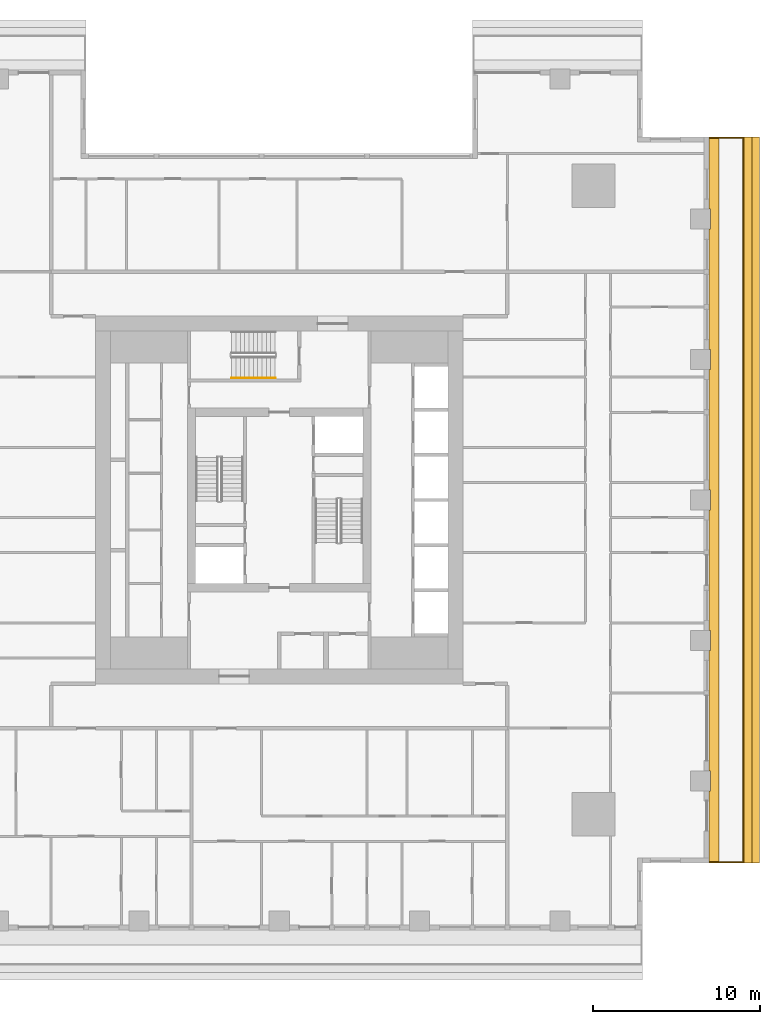
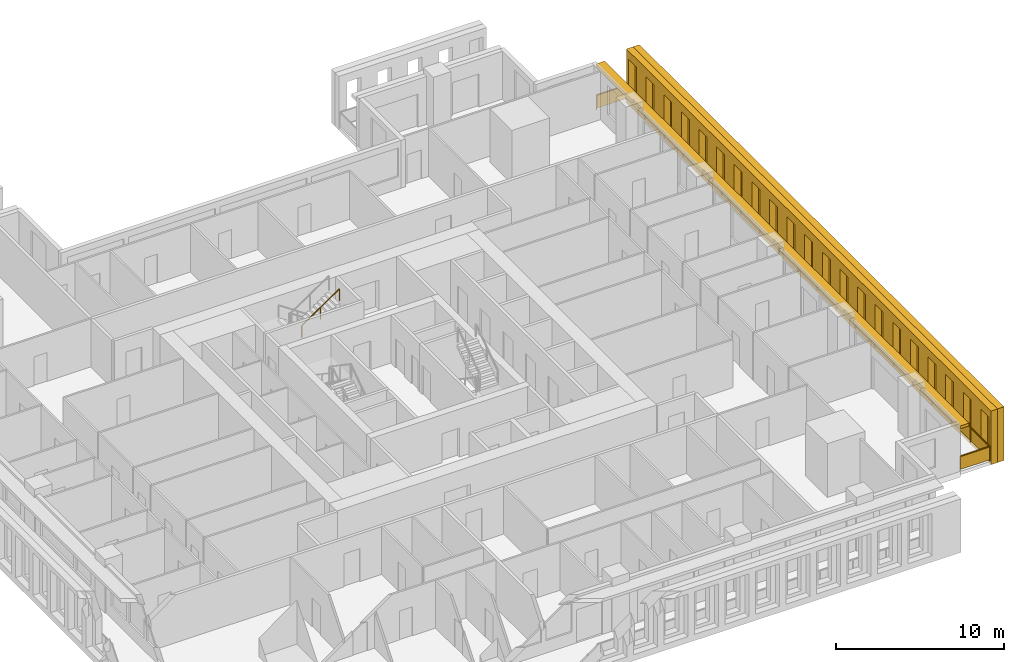
# One storey, part 14 of 16: 3 shading devices, 2 railings.
"""IFC4 building model written with IfcOpenShell, lengths in metres."""

from ifc_helpers import new_model, si_unit, direction, frame, origin, origin_2d, place, context, subcontext, project, spatial, polyline, rectangle, outline, extrude, material, layer, layer_set, type_object, element, save


model = new_model("IFC4")

# Units and contexts
model_context = context("Model", 3, precision=1e-05, world=origin(), true_north=direction((0.0, 1.0)))
body_context = subcontext(model_context, "Body", "Model", "MODEL_VIEW")
ifc_project = project(units=[si_unit("LENGTHUNIT", "METRE"), si_unit("AREAUNIT", "SQUARE_METRE"), si_unit("VOLUMEUNIT", "CUBIC_METRE"), si_unit("PLANEANGLEUNIT", "RADIAN"), si_unit("MASSUNIT", "GRAM", prefix="KILO")], contexts=[model_context])

# Site, building, storey
site_placement = place(None, origin())
site = spatial("IfcSite", under=ifc_project, at=site_placement, CompositionType="ELEMENT")
building_placement = place(site_placement, origin())
building = spatial("IfcBuilding", under=site, at=building_placement, Name="Khepri Terraces", CompositionType="ELEMENT")
storey_placement = place(building_placement, frame((0.0, 0.0, 168.89990234375)))
storey = spatial("IfcBuildingStorey", under=building, at=storey_placement, Name="L40", CompositionType="ELEMENT", Elevation=168.89990234375)

# Railings
ifc_material_1 = material(Name="Stainless steel grade 316", Category="steel")
railing_type_1 = type_object("IfcRailingType", Name="GRD-BAL-1100", PredefinedType="GUARDRAIL", material=ifc_material_1)
railing_1_placement = place(storey_placement, frame((25.719970703125, -21.669921875, 0.0)))
element("IfcRailing", 1, at=railing_1_placement, inside=storey, type_object=railing_type_1, Name="Balcony guard L40 E", PredefinedType="GUARDRAIL", context=body_context, shape_type="SweptSolid", body=[
    extrude(rectangle(XDim=0.050048828125, YDim=0.06005859375, at=origin_2d()), frame((0.0, 0.0, 1.070068359375), z_axis=(1.0, 0.0, 0.0), x_axis=(0.0, 1.0, 0.0)), (0.0, 0.0, 1.0), 2.050048828125),
    extrude(rectangle(XDim=2.0, YDim=0.011962890625, at=origin_2d()), frame((1.02490234375, 0.0, 0.10009765625), z_axis=(0.0, 0.0, 1.0), x_axis=(1.0, 0.0, 0.0)), (0.0, 0.0, 1.0), 0.93994140625),
    extrude(rectangle(XDim=0.050048828125, YDim=0.06005859375, at=origin_2d()), frame((2.050048828125, 0.0, 1.070068359375), z_axis=(0.0, 1.0, 0.0), x_axis=(-1.0, 0.0, 0.0)), (0.0, 0.0, 1.0), 43.33984375),
    extrude(rectangle(XDim=2.23095703125, YDim=0.011962890625, at=origin_2d()), frame((2.050048828125, 1.140625, 0.10009765625), z_axis=(0.0, 0.0, 1.0), x_axis=(0.0, 1.0, 0.0)), (0.0, 0.0, 1.0), 0.93994140625),
    extrude(rectangle(XDim=2.23095703125, YDim=0.011962890625, at=origin_2d()), frame((2.050048828125, 3.421630859375, 0.10009765625), z_axis=(0.0, 0.0, 1.0), x_axis=(0.0, 1.0, 0.0)), (0.0, 0.0, 1.0), 0.93994140625),
    extrude(rectangle(XDim=2.23095703125, YDim=0.011962890625, at=origin_2d()), frame((2.050048828125, 5.70263671875, 0.10009765625), z_axis=(0.0, 0.0, 1.0), x_axis=(0.0, 1.0, 0.0)), (0.0, 0.0, 1.0), 0.93994140625),
    extrude(rectangle(XDim=2.23095703125, YDim=0.011962890625, at=origin_2d()), frame((2.050048828125, 7.983642578125, 0.10009765625), z_axis=(0.0, 0.0, 1.0), x_axis=(0.0, 1.0, 0.0)), (0.0, 0.0, 1.0), 0.93994140625),
    extrude(rectangle(XDim=2.23095703125, YDim=0.011962890625, at=origin_2d()), frame((2.050048828125, 10.2646484375, 0.10009765625), z_axis=(0.0, 0.0, 1.0), x_axis=(0.0, 1.0, 0.0)), (0.0, 0.0, 1.0), 0.93994140625),
    extrude(rectangle(XDim=2.23095703125, YDim=0.011962890625, at=origin_2d()), frame((2.050048828125, 12.545654296875, 0.10009765625), z_axis=(0.0, 0.0, 1.0), x_axis=(0.0, 1.0, 0.0)), (0.0, 0.0, 1.0), 0.93994140625),
    extrude(rectangle(XDim=2.23095703125, YDim=0.011962890625, at=origin_2d()), frame((2.050048828125, 14.826904296875, 0.10009765625), z_axis=(0.0, 0.0, 1.0), x_axis=(0.0, 1.0, 0.0)), (0.0, 0.0, 1.0), 0.93994140625),
    extrude(rectangle(XDim=2.23095703125, YDim=0.011962890625, at=origin_2d()), frame((2.050048828125, 17.10791015625, 0.10009765625), z_axis=(0.0, 0.0, 1.0), x_axis=(0.0, 1.0, 0.0)), (0.0, 0.0, 1.0), 0.93994140625),
    extrude(rectangle(XDim=2.23095703125, YDim=0.011962890625, at=origin_2d()), frame((2.050048828125, 19.388916015625, 0.10009765625), z_axis=(0.0, 0.0, 1.0), x_axis=(0.0, 1.0, 0.0)), (0.0, 0.0, 1.0), 0.93994140625),
    extrude(rectangle(XDim=2.23095703125, YDim=0.011962890625, at=origin_2d()), frame((2.050048828125, 21.669921875, 0.10009765625), z_axis=(0.0, 0.0, 1.0), x_axis=(0.0, 1.0, 0.0)), (0.0, 0.0, 1.0), 0.93994140625),
    extrude(rectangle(XDim=2.23095703125, YDim=0.011962890625, at=origin_2d()), frame((2.050048828125, 23.950927734375, 0.10009765625), z_axis=(0.0, 0.0, 1.0), x_axis=(0.0, 1.0, 0.0)), (0.0, 0.0, 1.0), 0.93994140625),
    extrude(rectangle(XDim=2.23095703125, YDim=0.011962890625, at=origin_2d()), frame((2.050048828125, 26.23193359375, 0.10009765625), z_axis=(0.0, 0.0, 1.0), x_axis=(0.0, 1.0, 0.0)), (0.0, 0.0, 1.0), 0.93994140625),
    extrude(rectangle(XDim=2.23095703125, YDim=0.011962890625, at=origin_2d()), frame((2.050048828125, 28.512939453125, 0.10009765625), z_axis=(0.0, 0.0, 1.0), x_axis=(0.0, 1.0, 0.0)), (0.0, 0.0, 1.0), 0.93994140625),
    extrude(rectangle(XDim=2.23095703125, YDim=0.011962890625, at=origin_2d()), frame((2.050048828125, 30.794189453125, 0.10009765625), z_axis=(0.0, 0.0, 1.0), x_axis=(0.0, 1.0, 0.0)), (0.0, 0.0, 1.0), 0.93994140625),
    extrude(rectangle(XDim=2.23095703125, YDim=0.011962890625, at=origin_2d()), frame((2.050048828125, 33.0751953125, 0.10009765625), z_axis=(0.0, 0.0, 1.0), x_axis=(0.0, 1.0, 0.0)), (0.0, 0.0, 1.0), 0.93994140625),
    extrude(rectangle(XDim=2.23095703125, YDim=0.011962890625, at=origin_2d()), frame((2.050048828125, 35.356201171875, 0.10009765625), z_axis=(0.0, 0.0, 1.0), x_axis=(0.0, 1.0, 0.0)), (0.0, 0.0, 1.0), 0.93994140625),
    extrude(rectangle(XDim=2.23095703125, YDim=0.011962890625, at=origin_2d()), frame((2.050048828125, 37.63720703125, 0.10009765625), z_axis=(0.0, 0.0, 1.0), x_axis=(0.0, 1.0, 0.0)), (0.0, 0.0, 1.0), 0.93994140625),
    extrude(rectangle(XDim=2.23095703125, YDim=0.011962890625, at=origin_2d()), frame((2.050048828125, 39.918212890625, 0.10009765625), z_axis=(0.0, 0.0, 1.0), x_axis=(0.0, 1.0, 0.0)), (0.0, 0.0, 1.0), 0.93994140625),
    extrude(rectangle(XDim=2.23095703125, YDim=0.011962890625, at=origin_2d()), frame((2.050048828125, 42.19921875, 0.10009765625), z_axis=(0.0, 0.0, 1.0), x_axis=(0.0, 1.0, 0.0)), (0.0, 0.0, 1.0), 0.93994140625),
    extrude(rectangle(XDim=0.050048828125, YDim=0.06005859375, at=origin_2d()), frame((2.050048828125, 43.33984375, 1.070068359375), z_axis=(-1.0, 0.0, 0.0), x_axis=(0.0, -1.0, 0.0)), (0.0, 0.0, 1.0), 2.050048828125),
    extrude(rectangle(XDim=2.0, YDim=0.011962890625, at=origin_2d()), frame((1.02490234375, 43.33984375, 0.10009765625), z_axis=(0.0, 0.0, 1.0), x_axis=(-1.0, 0.0, 0.0)), (0.0, 0.0, 1.0), 0.93994140625),
    extrude(rectangle(XDim=0.050048828125, YDim=0.050048828125, at=origin_2d()), origin(), (0.0, 0.0, 1.0), 1.0400390625),
    extrude(rectangle(XDim=0.050048828125, YDim=0.050048828125, at=origin_2d()), frame((2.050048828125, 0.0, 0.0)), (0.0, 0.0, 1.0), 1.0400390625),
    extrude(rectangle(XDim=0.050048828125, YDim=0.050048828125, at=origin_2d()), frame((2.050048828125, 2.281005859375, 0.0)), (0.0, 0.0, 1.0), 1.0400390625),
    extrude(rectangle(XDim=0.050048828125, YDim=0.050048828125, at=origin_2d()), frame((2.050048828125, 4.56201171875, 0.0)), (0.0, 0.0, 1.0), 1.0400390625),
    extrude(rectangle(XDim=0.050048828125, YDim=0.050048828125, at=origin_2d()), frame((2.050048828125, 6.843017578125, 0.0)), (0.0, 0.0, 1.0), 1.0400390625),
    extrude(rectangle(XDim=0.050048828125, YDim=0.050048828125, at=origin_2d()), frame((2.050048828125, 9.124267578125, 0.0)), (0.0, 0.0, 1.0), 1.0400390625),
    extrude(rectangle(XDim=0.050048828125, YDim=0.050048828125, at=origin_2d()), frame((2.050048828125, 11.4052734375, 0.0)), (0.0, 0.0, 1.0), 1.0400390625),
    extrude(rectangle(XDim=0.050048828125, YDim=0.050048828125, at=origin_2d()), frame((2.050048828125, 13.686279296875, 0.0)), (0.0, 0.0, 1.0), 1.0400390625),
    extrude(rectangle(XDim=0.050048828125, YDim=0.050048828125, at=origin_2d()), frame((2.050048828125, 15.96728515625, 0.0)), (0.0, 0.0, 1.0), 1.0400390625),
    extrude(rectangle(XDim=0.050048828125, YDim=0.050048828125, at=origin_2d()), frame((2.050048828125, 18.248291015625, 0.0)), (0.0, 0.0, 1.0), 1.0400390625),
    extrude(rectangle(XDim=0.050048828125, YDim=0.050048828125, at=origin_2d()), frame((2.050048828125, 20.529296875, 0.0)), (0.0, 0.0, 1.0), 1.0400390625),
    extrude(rectangle(XDim=0.050048828125, YDim=0.050048828125, at=origin_2d()), frame((2.050048828125, 22.810546875, 0.0)), (0.0, 0.0, 1.0), 1.0400390625),
    extrude(rectangle(XDim=0.050048828125, YDim=0.050048828125, at=origin_2d()), frame((2.050048828125, 25.091552734375, 0.0)), (0.0, 0.0, 1.0), 1.0400390625),
    extrude(rectangle(XDim=0.050048828125, YDim=0.050048828125, at=origin_2d()), frame((2.050048828125, 27.37255859375, 0.0)), (0.0, 0.0, 1.0), 1.0400390625),
    extrude(rectangle(XDim=0.050048828125, YDim=0.050048828125, at=origin_2d()), frame((2.050048828125, 29.653564453125, 0.0)), (0.0, 0.0, 1.0), 1.0400390625),
    extrude(rectangle(XDim=0.050048828125, YDim=0.050048828125, at=origin_2d()), frame((2.050048828125, 31.9345703125, 0.0)), (0.0, 0.0, 1.0), 1.0400390625),
    extrude(rectangle(XDim=0.050048828125, YDim=0.050048828125, at=origin_2d()), frame((2.050048828125, 34.215576171875, 0.0)), (0.0, 0.0, 1.0), 1.0400390625),
    extrude(rectangle(XDim=0.050048828125, YDim=0.050048828125, at=origin_2d()), frame((2.050048828125, 36.496826171875, 0.0)), (0.0, 0.0, 1.0), 1.0400390625),
    extrude(rectangle(XDim=0.050048828125, YDim=0.050048828125, at=origin_2d()), frame((2.050048828125, 38.77783203125, 0.0)), (0.0, 0.0, 1.0), 1.0400390625),
    extrude(rectangle(XDim=0.050048828125, YDim=0.050048828125, at=origin_2d()), frame((2.050048828125, 41.058837890625, 0.0)), (0.0, 0.0, 1.0), 1.0400390625),
    extrude(rectangle(XDim=0.050048828125, YDim=0.050048828125, at=origin_2d()), frame((2.050048828125, 43.33984375, 0.0)), (0.0, 0.0, 1.0), 1.0400390625),
    extrude(rectangle(XDim=0.050048828125, YDim=0.050048828125, at=origin_2d()), frame((0.0, 43.33984375, 0.0)), (0.0, 0.0, 1.0), 1.0400390625),
])
ifc_material_2 = material(Name="Stainless steel 316", Category="steel")
railing_type_2 = type_object("IfcRailingType", Name="RL-CORE-HANDRAIL", PredefinedType="HANDRAIL", material=ifc_material_2)
railing_2_placement = place(storey_placement, frame((-2.85009765625, 7.300048828125, 2.12744140625)))
element("IfcRailing", 2, at=railing_2_placement, inside=storey, type_object=railing_type_2, Name="L40 ST-3 stair handrail 2", PredefinedType="HANDRAIL", context=body_context, shape_type="SweptSolid", body=[
    extrude(rectangle(XDim=0.050048828125, YDim=0.050048828125, at=origin_2d()), frame((0.0, 0.0, 0.875), z_axis=(0.826240473404, 0.0, 0.563317565952), x_axis=(0.0, 1.0, 0.0)), (0.0, 0.0, 1.0), 3.14697265625),
    extrude(rectangle(XDim=0.050048828125, YDim=0.050048828125, at=origin_2d()), origin(), (0.0, 0.0, 1.0), 0.849853515625),
    extrude(rectangle(XDim=0.050048828125, YDim=0.050048828125, at=origin_2d()), frame((1.300048828125, 0.0, 0.88623046875)), (0.0, 0.0, 1.0), 0.849853515625),
    extrude(rectangle(XDim=0.050048828125, YDim=0.050048828125, at=origin_2d()), frame((2.60009765625, 0.0, 1.772705078125)), (0.0, 0.0, 1.0), 0.849853515625),
])

# Shading devices
ifc_material_3 = material(Name="Precast concrete C50/60 warm stone", Category="masonry")
shading_device_type_1 = type_object("IfcShadingDeviceType", Name="SCR-CELL-INNER-450", PredefinedType="USERDEFINED", material=ifc_material_3)
shading_device_1_placement = place(storey_placement, frame((27.820068359375, -21.719970703125, -0.25), z_axis=(1.0, 0.0, 0.0), x_axis=(0.0, 1.0, 0.0)))
element("IfcShadingDevice", 3, at=shading_device_1_placement, inside=storey, type_object=shading_device_type_1, Name="Cell screen L40 E in", ObjectType="SCREEN", PredefinedType="USERDEFINED", context=body_context, shape_type="SweptSolid", body=[
    extrude(outline(polyline([(0.0, 0.0), (43.43994140625, 0.0), (43.43994140625, 3.89990234375), (0.0, 3.89990234375), (0.0, 0.0)]), holes=[polyline([(0.24755859375, 0.699951171875), (1.1923828125, 0.699951171875), (1.1923828125, 3.300048828125), (0.24755859375, 3.300048828125), (0.24755859375, 0.699951171875)]), polyline([(2.347412109375, 0.699951171875), (3.29248046875, 0.699951171875), (3.29248046875, 3.300048828125), (2.347412109375, 3.300048828125), (2.347412109375, 0.699951171875)]), polyline([(4.447509765625, 0.699951171875), (5.392578125, 0.699951171875), (5.392578125, 3.300048828125), (4.447509765625, 3.300048828125), (4.447509765625, 0.699951171875)]), polyline([(6.547607421875, 0.699951171875), (7.492431640625, 0.699951171875), (7.492431640625, 3.300048828125), (6.547607421875, 3.300048828125), (6.547607421875, 0.699951171875)]), polyline([(8.6474609375, 0.699951171875), (9.592529296875, 0.699951171875), (9.592529296875, 3.300048828125), (8.6474609375, 3.300048828125), (8.6474609375, 0.699951171875)]), polyline([(10.74755859375, 0.699951171875), (11.6923828125, 0.699951171875), (11.6923828125, 3.300048828125), (10.74755859375, 3.300048828125), (10.74755859375, 0.699951171875)]), polyline([(12.847412109375, 0.699951171875), (13.79248046875, 0.699951171875), (13.79248046875, 3.300048828125), (12.847412109375, 3.300048828125), (12.847412109375, 0.699951171875)]), polyline([(14.947509765625, 0.699951171875), (15.892578125, 0.699951171875), (15.892578125, 3.300048828125), (14.947509765625, 3.300048828125), (14.947509765625, 0.699951171875)]), polyline([(17.047607421875, 0.699951171875), (17.992431640625, 0.699951171875), (17.992431640625, 3.300048828125), (17.047607421875, 3.300048828125), (17.047607421875, 0.699951171875)]), polyline([(19.1474609375, 0.699951171875), (20.092529296875, 0.699951171875), (20.092529296875, 3.300048828125), (19.1474609375, 3.300048828125), (19.1474609375, 0.699951171875)]), polyline([(21.24755859375, 0.699951171875), (22.1923828125, 0.699951171875), (22.1923828125, 3.300048828125), (21.24755859375, 3.300048828125), (21.24755859375, 0.699951171875)]), polyline([(23.347412109375, 0.699951171875), (24.29248046875, 0.699951171875), (24.29248046875, 3.300048828125), (23.347412109375, 3.300048828125), (23.347412109375, 0.699951171875)]), polyline([(25.447509765625, 0.699951171875), (26.392578125, 0.699951171875), (26.392578125, 3.300048828125), (25.447509765625, 3.300048828125), (25.447509765625, 0.699951171875)]), polyline([(27.547607421875, 0.699951171875), (28.492431640625, 0.699951171875), (28.492431640625, 3.300048828125), (27.547607421875, 3.300048828125), (27.547607421875, 0.699951171875)]), polyline([(29.6474609375, 0.699951171875), (30.592529296875, 0.699951171875), (30.592529296875, 3.300048828125), (29.6474609375, 3.300048828125), (29.6474609375, 0.699951171875)]), polyline([(31.74755859375, 0.699951171875), (32.6923828125, 0.699951171875), (32.6923828125, 3.300048828125), (31.74755859375, 3.300048828125), (31.74755859375, 0.699951171875)]), polyline([(33.847412109375, 0.699951171875), (34.79248046875, 0.699951171875), (34.79248046875, 3.300048828125), (33.847412109375, 3.300048828125), (33.847412109375, 0.699951171875)]), polyline([(35.947509765625, 0.699951171875), (36.892578125, 0.699951171875), (36.892578125, 3.300048828125), (35.947509765625, 3.300048828125), (35.947509765625, 0.699951171875)]), polyline([(38.047607421875, 0.699951171875), (38.992431640625, 0.699951171875), (38.992431640625, 3.300048828125), (38.047607421875, 3.300048828125), (38.047607421875, 0.699951171875)]), polyline([(40.1474609375, 0.699951171875), (41.092529296875, 0.699951171875), (41.092529296875, 3.300048828125), (40.1474609375, 3.300048828125), (40.1474609375, 0.699951171875)]), polyline([(42.24755859375, 0.699951171875), (43.1923828125, 0.699951171875), (43.1923828125, 3.300048828125), (42.24755859375, 3.300048828125), (42.24755859375, 0.699951171875)])]), origin(), (0.0, 0.0, 1.0), 0.449951171875),
])
shading_device_type_2 = type_object("IfcShadingDeviceType", Name="SCR-CELL-OUTER-450", PredefinedType="USERDEFINED", material=ifc_material_3)
shading_device_2_placement = place(storey_placement, frame((28.27001953125, -21.719970703125, -0.25), z_axis=(1.0, 0.0, 0.0), x_axis=(0.0, 1.0, 0.0)))
element("IfcShadingDevice", 4, at=shading_device_2_placement, inside=storey, type_object=shading_device_type_2, Name="Cell screen L40 E out", ObjectType="SCREEN", PredefinedType="USERDEFINED", context=body_context, shape_type="SweptSolid", body=[
    extrude(outline(polyline([(0.0, 0.0), (43.43994140625, 0.0), (43.43994140625, 3.89990234375), (0.0, 3.89990234375), (0.0, 0.0)]), holes=[polyline([(1.99755859375, 0.449951171875), (3.642578125, 0.449951171875), (3.642578125, 3.550048828125), (1.99755859375, 3.550048828125), (1.99755859375, 0.449951171875)]), polyline([(4.097412109375, 0.449951171875), (5.742431640625, 0.449951171875), (5.742431640625, 3.550048828125), (4.097412109375, 3.550048828125), (4.097412109375, 0.449951171875)]), polyline([(6.197509765625, 0.449951171875), (7.842529296875, 0.449951171875), (7.842529296875, 3.550048828125), (6.197509765625, 3.550048828125), (6.197509765625, 0.449951171875)]), polyline([(8.297607421875, 0.449951171875), (9.9423828125, 0.449951171875), (9.9423828125, 3.550048828125), (8.297607421875, 3.550048828125), (8.297607421875, 0.449951171875)]), polyline([(10.3974609375, 0.449951171875), (12.04248046875, 0.449951171875), (12.04248046875, 3.550048828125), (10.3974609375, 3.550048828125), (10.3974609375, 0.449951171875)]), polyline([(12.49755859375, 0.449951171875), (14.142578125, 0.449951171875), (14.142578125, 3.550048828125), (12.49755859375, 3.550048828125), (12.49755859375, 0.449951171875)]), polyline([(14.597412109375, 0.449951171875), (16.242431640625, 0.449951171875), (16.242431640625, 3.550048828125), (14.597412109375, 3.550048828125), (14.597412109375, 0.449951171875)]), polyline([(16.697509765625, 0.449951171875), (18.342529296875, 0.449951171875), (18.342529296875, 3.550048828125), (16.697509765625, 3.550048828125), (16.697509765625, 0.449951171875)]), polyline([(18.797607421875, 0.449951171875), (20.4423828125, 0.449951171875), (20.4423828125, 3.550048828125), (18.797607421875, 3.550048828125), (18.797607421875, 0.449951171875)]), polyline([(20.8974609375, 0.449951171875), (22.54248046875, 0.449951171875), (22.54248046875, 3.550048828125), (20.8974609375, 3.550048828125), (20.8974609375, 0.449951171875)]), polyline([(22.99755859375, 0.449951171875), (24.642578125, 0.449951171875), (24.642578125, 3.550048828125), (22.99755859375, 3.550048828125), (22.99755859375, 0.449951171875)]), polyline([(25.097412109375, 0.449951171875), (26.742431640625, 0.449951171875), (26.742431640625, 3.550048828125), (25.097412109375, 3.550048828125), (25.097412109375, 0.449951171875)]), polyline([(27.197509765625, 0.449951171875), (28.842529296875, 0.449951171875), (28.842529296875, 3.550048828125), (27.197509765625, 3.550048828125), (27.197509765625, 0.449951171875)]), polyline([(29.297607421875, 0.449951171875), (30.9423828125, 0.449951171875), (30.9423828125, 3.550048828125), (29.297607421875, 3.550048828125), (29.297607421875, 0.449951171875)]), polyline([(31.3974609375, 0.449951171875), (33.04248046875, 0.449951171875), (33.04248046875, 3.550048828125), (31.3974609375, 3.550048828125), (31.3974609375, 0.449951171875)]), polyline([(33.49755859375, 0.449951171875), (35.142578125, 0.449951171875), (35.142578125, 3.550048828125), (33.49755859375, 3.550048828125), (33.49755859375, 0.449951171875)]), polyline([(35.597412109375, 0.449951171875), (37.242431640625, 0.449951171875), (37.242431640625, 3.550048828125), (35.597412109375, 3.550048828125), (35.597412109375, 0.449951171875)]), polyline([(37.697509765625, 0.449951171875), (39.342529296875, 0.449951171875), (39.342529296875, 3.550048828125), (37.697509765625, 3.550048828125), (37.697509765625, 0.449951171875)]), polyline([(39.797607421875, 0.449951171875), (41.4423828125, 0.449951171875), (41.4423828125, 3.550048828125), (39.797607421875, 3.550048828125), (39.797607421875, 0.449951171875)])]), origin(), (0.0, 0.0, 1.0), 0.449951171875),
])
ifc_layer = layer(ifc_material_3, 0.199951171875, Name="Precast concrete C50/60 warm stone", Category="masonry")
ifc_layer_set = layer_set([ifc_layer], Name="Precast concrete C50/60 warm stone")
shading_device_type_3 = type_object("IfcShadingDeviceType", Name="SSH-BAND-STONE-200-N", PredefinedType="USERDEFINED", material=ifc_layer_set)
shading_device_3_placement = place(storey_placement, frame((0.0, 0.0, 3.10009765625)))
element("IfcShadingDevice", 5, at=shading_device_3_placement, inside=storey, type_object=shading_device_type_3, Name="Sunshade band L40 E", ObjectType="SUNSHADE", PredefinedType="USERDEFINED", context=body_context, shape_type="SweptSolid", body=[
    extrude(outline(polyline([(25.719970703125, -17.39990234375), (25.719970703125, -21.719970703125), (26.320068359375, -21.719970703125), (26.320068359375, 21.719970703125), (25.719970703125, 21.719970703125), (25.719970703125, 17.39990234375), (25.800048828125, 17.39990234375), (25.800048828125, 16.199951171875), (25.719970703125, 16.199951171875), (25.719970703125, 9.0), (25.800048828125, 9.0), (25.800048828125, 7.800048828125), (25.719970703125, 7.800048828125), (25.719970703125, 0.60009765625), (25.800048828125, 0.60009765625), (25.800048828125, -0.60009765625), (25.719970703125, -0.60009765625), (25.719970703125, -7.800048828125), (25.800048828125, -7.800048828125), (25.800048828125, -9.0), (25.719970703125, -9.0), (25.719970703125, -16.199951171875), (25.800048828125, -16.199951171875), (25.800048828125, -17.39990234375), (25.719970703125, -17.39990234375)])), origin(), (0.0, 0.0, 1.0), 0.199951171875),
])

save(model, "model.ifc")
